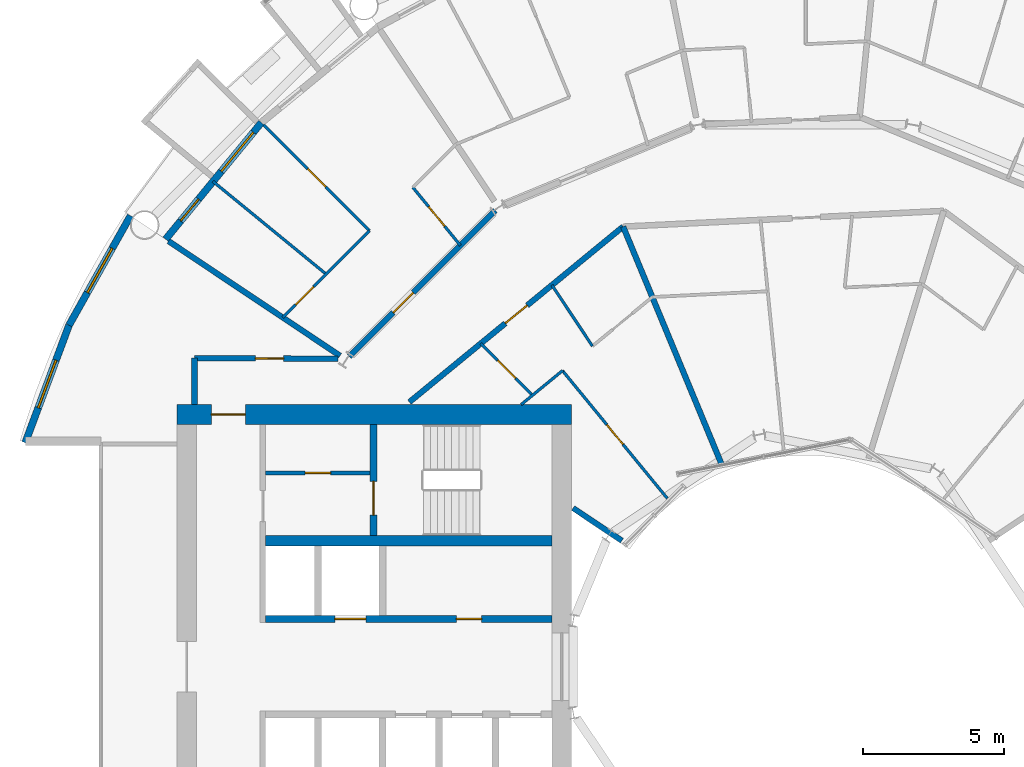
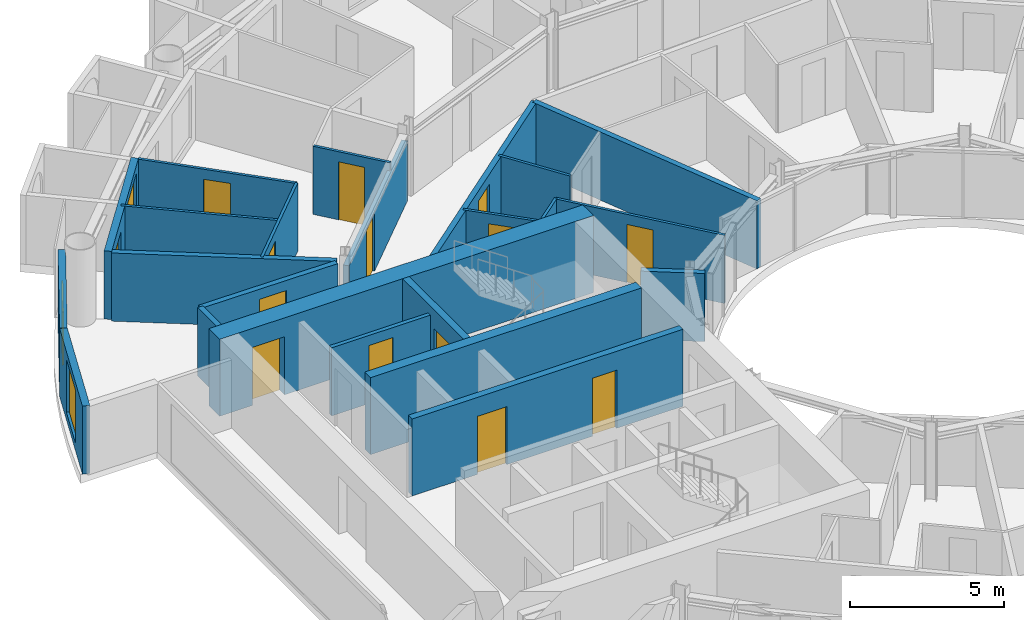
# One storey, part 18 of 26: 23 walls, 14 doors, 3 windows, 17 openings.
"""IFC4 building model written with IfcOpenShell, lengths in metres."""

import ifcopenshell
import ifcopenshell.guid

model = None  # the IFC model being written
_history = None  # IfcOwnerHistory: only IFC2X3 demands one
_inside = {}  # id of a spatial element -> (the spatial element, [elements in it])
_under = {}  # id of a project, library or spatial element -> (it, [spatial elements below it])
_declared = {}  # id of a project -> (the project, [libraries it declares])
_typed = {}  # id of a type object -> (the type object, [elements of that type])
_made_of = {}  # id of a material, layer set ... -> (it, [elements and type objects made of it])


def new_model(schema):
    """Start an empty IFC model of exactly this schema.

    Asked for "IFC4X3", IfcOpenShell would pick the latest addendum, in which some entities
    have other attributes; the version numbers below select the first issue.
    IFC2X3 requires an IfcOwnerHistory on every rooted entity: one is made here for all.
    """
    global model, _history
    if schema == "IFC4X3":
        model = ifcopenshell.file(schema_version=(4, 3, 0, 0))
    else:
        model = ifcopenshell.file(schema=schema)
    _inside.clear()
    _under.clear()
    _declared.clear()
    _typed.clear()
    _made_of.clear()
    _history = None
    if model.schema == "IFC2X3":
        org = make("IfcOrganization", Name="unknown")
        user = make(
            "IfcPersonAndOrganization",
            ThePerson=make("IfcPerson", FamilyName="unknown"),
            TheOrganization=org,
        )
        app = make(
            "IfcApplication",
            ApplicationDeveloper=org,
            Version="unknown",
            ApplicationFullName="unknown",
            ApplicationIdentifier="unknown",
        )
        _history = make(
            "IfcOwnerHistory",
            OwningUser=user,
            OwningApplication=app,
            ChangeAction="ADDED",
            CreationDate=0,
        )
    return model


def make(cls, **values):
    """One entity of the class cls with the attributes given. An attribute that is None is left unset."""
    return model.create_entity(
        cls, **{name: value for name, value in values.items() if value is not None}
    )


def rooted(cls, **values):
    """An entity with a GlobalId (a new one), such as an element, a storey or a relation."""
    return make(cls, GlobalId=ifcopenshell.guid.new(), OwnerHistory=_history, **values)


def si_unit(unit_type, name, prefix=None):
    """IfcSIUnit, for example si_unit("LENGTHUNIT", "METRE", prefix="MILLI")."""
    return make("IfcSIUnit", UnitType=unit_type, Prefix=prefix, Name=name)


def assignment(units):
    """IfcUnitAssignment: the units of a project."""
    return None if units is None else make("IfcUnitAssignment", Units=units)


def point(xyz):
    """IfcCartesianPoint."""
    return None if xyz is None else make("IfcCartesianPoint", Coordinates=xyz)


def direction(xyz):
    """IfcDirection."""
    return None if xyz is None else make("IfcDirection", DirectionRatios=xyz)


def frame(location, z_axis=None, x_axis=None):
    """IfcAxis2Placement3D, a coordinate frame: its origin and axes. An axis left out is left unset."""
    return make(
        "IfcAxis2Placement3D",
        Location=point(location),
        Axis=direction(z_axis),
        RefDirection=direction(x_axis),
    )


def frame_2d(location, x_axis=None):
    """IfcAxis2Placement2D, a coordinate frame in the plane: its origin and x axis."""
    return make(
        "IfcAxis2Placement2D", Location=point(location), RefDirection=direction(x_axis)
    )


def origin():
    """The frame at (0, 0, 0) with its axes left unset."""
    return frame((0.0, 0.0, 0.0))


def place(relative_to, where):
    """IfcLocalPlacement: puts the frame where relative to a parent placement (None: the world)."""
    return make(
        "IfcLocalPlacement", PlacementRelTo=relative_to, RelativePlacement=where
    )


def context(
    kind, dimensions, precision=None, world=None, true_north=None, identifier=None
):
    """IfcGeometricRepresentationContext, for example the 3D "Model" context."""
    return make(
        "IfcGeometricRepresentationContext",
        ContextIdentifier=identifier,
        ContextType=kind,
        CoordinateSpaceDimension=dimensions,
        Precision=precision,
        WorldCoordinateSystem=world,
        TrueNorth=true_north,
    )


def subcontext(parent, identifier, kind, view, scale=None):
    """IfcGeometricRepresentationSubContext, for example "Body" below "Model"."""
    return make(
        "IfcGeometricRepresentationSubContext",
        ContextIdentifier=identifier,
        ContextType=kind,
        ParentContext=parent,
        TargetScale=scale,
        TargetView=view,
    )


def project(units=None, contexts=None):
    """IfcProject with its units and contexts."""
    return rooted(
        "IfcProject",
        Name="project",
        RepresentationContexts=contexts,
        UnitsInContext=assignment(units),
    )


def spatial(cls, under=None, at=None, **own):
    """A site, building, storey or space (cls), placed at a placement, below another one or the project."""
    s = rooted(cls, ObjectPlacement=at, **own)
    if under is not None:
        _under.setdefault(under.id(), (under, []))[1].append(s)
    return s


def profile(cls, at=None, kind="AREA", **sizes):
    """A parametric profile (cls). Its sizes go by their IFC names, for example OverallWidth=200.0."""
    return make(cls, ProfileType=kind, Position=at, **sizes)


def rectangle(**sizes):
    """IfcRectangleProfileDef."""
    return profile("IfcRectangleProfileDef", **sizes)


def extrude(swept, where, along, depth):
    """IfcExtrudedAreaSolid: the profile swept, set in the frame where, extruded along a direction by depth."""
    return make(
        "IfcExtrudedAreaSolid",
        SweptArea=swept,
        Position=where,
        ExtrudedDirection=direction(along),
        Depth=depth,
    )


def shape(context_of_items, identifier, shape_type, items):
    """IfcShapeRepresentation: the items that make up one representation, for example the "Body"."""
    return make(
        "IfcShapeRepresentation",
        ContextOfItems=context_of_items,
        RepresentationIdentifier=identifier,
        RepresentationType=shape_type,
        Items=items,
    )


def material(Name=None, Category=None):
    """IfcMaterial."""
    return make("IfcMaterial", Name=Name, Category=Category)


def layer(
    of_material, thickness, ventilated=None, Name=None, Category=None, Priority=None
):
    """IfcMaterialLayer: one layer of a wall or slab, of a material (None: an air gap)."""
    return make(
        "IfcMaterialLayer",
        Material=of_material,
        LayerThickness=thickness,
        IsVentilated=ventilated,
        Name=Name,
        Category=Category,
        Priority=Priority,
    )


def layer_set(layers, Name=None):
    """IfcMaterialLayerSet."""
    return make("IfcMaterialLayerSet", MaterialLayers=layers, LayerSetName=Name)


def made_of(thing, what):
    """Note that an element or type object is made of a material, layer set ...; save() writes the relation."""
    if what is not None:
        _made_of.setdefault(what.id(), (what, []))[1].append(thing)
    return thing


def type_object(cls, material=None, **own):
    """A type object (cls), such as IfcWallType, which elements share."""
    return made_of(rooted(cls, **own), material)


def element(
    cls,
    number,
    at=None,
    inside=None,
    cuts=None,
    type_object=None,
    material=None,
    context=None,
    identifier="Body",
    shape_type=None,
    held_by="IfcProductDefinitionShape",
    body=None,
    shapes=None,
    **own,
):
    """One element of the class cls, such as IfcWall. Its Tag is "e" and its number.

    at: its placement. inside: the storey or other place that contains it. cuts: it is an
    opening in that element (IfcRelVoidsElement). A single representation is given by context,
    identifier, shape_type and body (its items); several are given by shapes. held_by: the class
    of the entity that holds the representations. save() writes the other relations.
    """
    e = rooted(cls, Tag="e%d" % number, ObjectPlacement=at, **own)
    if body is not None:
        shapes = [shape(context, identifier, shape_type, body)]
    if shapes is not None:
        e.Representation = make(held_by, Representations=shapes)
    if inside is not None:
        _inside.setdefault(inside.id(), (inside, []))[1].append(e)
    if cuts is not None:
        rooted(
            "IfcRelVoidsElement", RelatingBuildingElement=cuts, RelatedOpeningElement=e
        )
    if type_object is not None:
        _typed.setdefault(type_object.id(), (type_object, []))[1].append(e)
    return made_of(e, material)


def fill(opening, filler):
    """IfcRelFillsElement: the door or window that sits in an opening."""
    return rooted(
        "IfcRelFillsElement",
        RelatingOpeningElement=opening,
        RelatedBuildingElement=filler,
    )


def aggregate(whole, parts):
    """IfcRelAggregates: a whole, such as a stair, and the parts it consists of."""
    return rooted("IfcRelAggregates", RelatingObject=whole, RelatedObjects=parts)


def save(model, path):
    """Write the relations noted so far, then the file.

    IfcRelAggregates (storeys below a building ...), IfcRelContainedInSpatialStructure (elements
    in a storey), IfcRelDefinesByType, IfcRelAssociatesMaterial and IfcRelDeclares: one each for
    every whole, place, type object, material and project.
    """
    for whole, parts in _under.values():
        aggregate(whole, parts)
    for where, things in _inside.values():
        rooted(
            "IfcRelContainedInSpatialStructure",
            RelatedElements=things,
            RelatingStructure=where,
        )
    for kind, things in _typed.values():
        rooted("IfcRelDefinesByType", RelatedObjects=things, RelatingType=kind)
    for what, things in _made_of.values():
        rooted("IfcRelAssociatesMaterial", RelatedObjects=things, RelatingMaterial=what)
    for by, libraries in _declared.values():
        rooted("IfcRelDeclares", RelatingContext=by, RelatedDefinitions=libraries)
    model.write(path)


model = new_model("IFC4")

# Units and contexts
model_context = context("Model", 3, precision=1e-05, world=origin(), true_north=direction((0.0, 1.0)))
body_context = subcontext(model_context, "Body", "Model", "MODEL_VIEW")
ifc_project = project(units=[si_unit("LENGTHUNIT", "METRE"), si_unit("AREAUNIT", "SQUARE_METRE"), si_unit("VOLUMEUNIT", "CUBIC_METRE"), si_unit("PLANEANGLEUNIT", "RADIAN"), si_unit("MASSUNIT", "GRAM", prefix="KILO")], contexts=[model_context])

# Site, building, storey
site_placement = place(None, origin())
site = spatial("IfcSite", under=ifc_project, at=site_placement, CompositionType="ELEMENT")
building_placement = place(site_placement, origin())
building = spatial("IfcBuilding", under=site, at=building_placement, Name="Maasbend Ring Residences", CompositionType="ELEMENT")
storey_placement = place(building_placement, frame((0.0, 0.0, 72.75)))
storey = spatial("IfcBuildingStorey", under=building, at=storey_placement, Name="L20", CompositionType="ELEMENT", Elevation=72.75)

# Wall, openings, doors
ifc_material_1 = material(Name="Concrete C70/85", Category="concrete")
ifc_layer_1 = layer(ifc_material_1, 0.25)
ifc_layer_set_1 = layer_set([ifc_layer_1], Name="Concrete C70/85")
wall_type_1 = type_object("IfcWallType", Name="CORE WALL 250 C70/85", PredefinedType="SHEAR", material=ifc_layer_set_1)
wall_1_placement = place(storey_placement, frame((-19.14990234375, 1.699951171875, 0.0), z_axis=(0.0, 0.0, 1.0), x_axis=(1.0, 0.0, 0.0)))
wall_1 = element("IfcWall", 1, at=wall_1_placement, inside=storey, type_object=wall_type_1, Name="L20 core W wall SPS", PredefinedType="SHEAR", context=body_context, shape_type="SweptSolid", body=[
    extrude(rectangle(XDim=10.14990234375, YDim=0.25, at=frame_2d((5.074951171875, 0.0))), origin(), (0.0, 0.0, 1.0), 3.050048828125),
])
opening_1_placement = place(wall_1_placement, frame((2.449951171875, 0.0, 0.0)))
opening_1 = element("IfcOpeningElement", 2, at=opening_1_placement, cuts=wall_1, Name="Opening LD-W2005", PredefinedType="OPENING", context=body_context, shape_type="SweptSolid", body=[
    extrude(rectangle(XDim=1.10009765625, YDim=2.300048828125, at=frame_2d((0.550048828125, 1.14990234375))), frame((0.0, 0.135009765625, 0.0), z_axis=(0.0, -1.0, 0.0), x_axis=(1.0, 0.0, 0.0)), (0.0, 0.0, 1.0), 0.27001953125),
])
opening_2_placement = place(wall_1_placement, frame((6.762451171875, 0.0, 0.0)))
opening_2 = element("IfcOpeningElement", 3, at=opening_2_placement, cuts=wall_1, Name="Opening D-W2006", PredefinedType="OPENING", context=body_context, shape_type="SweptSolid", body=[
    extrude(rectangle(XDim=0.89990234375, YDim=2.300048828125, at=frame_2d((0.449951171875, 1.14990234375))), frame((0.0, 0.135009765625, 0.0), z_axis=(0.0, -1.0, 0.0), x_axis=(1.0, 0.0, 0.0)), (0.0, 0.0, 1.0), 0.27001953125),
])
ifc_material_2 = material(Name="Stainless steel 316", Category="steel")
door_type_1 = type_object("IfcDoorType", Name="LANDING DOOR 1100 X 2300 FD60", OperationType="DOUBLE_DOOR_SLIDING", PredefinedType="DOOR", material=ifc_material_2)
door_1_placement = place(opening_1_placement, origin())
door_1 = element("IfcDoor", 4, at=door_1_placement, inside=storey, type_object=door_type_1, Name="Landing door SV-W L20", OperationType="DOUBLE_DOOR_SLIDING", OverallHeight=2.300048828125, OverallWidth=1.10009765625, PredefinedType="DOOR", context=body_context, shape_type="SweptSolid", body=[
    extrude(rectangle(XDim=1.10009765625, YDim=2.300048828125, at=frame_2d((0.550048828125, 1.14990234375))), frame((0.0, 0.02490234375, 0.0), z_axis=(0.0, -1.0, 0.0), x_axis=(1.0, 0.0, 0.0)), (0.0, 0.0, 1.0), 0.050048828125),
])
fill(opening_1, door_1)
ifc_material_3 = material(Name="Steel, powder coated", Category="steel")
door_type_2 = type_object("IfcDoorType", Name="ROOM DOOR 900 X 2300 FD30S", OperationType="NOTDEFINED", PredefinedType="DOOR", material=ifc_material_3)
door_2_placement = place(opening_2_placement, origin())
door_2 = element("IfcDoor", 5, at=door_2_placement, inside=storey, type_object=door_type_2, Name="Room door L20", OperationType="SINGLE_SWING_LEFT", OverallHeight=2.300048828125, OverallWidth=0.89990234375, PredefinedType="DOOR", context=body_context, shape_type="SweptSolid", body=[
    extrude(rectangle(XDim=0.89990234375, YDim=2.300048828125, at=frame_2d((0.449951171875, 1.14990234375))), frame((0.0, 0.02490234375, 0.0), z_axis=(0.0, -1.0, 0.0), x_axis=(1.0, 0.0, 0.0)), (0.0, 0.0, 1.0), 0.050048828125),
])
fill(opening_2, door_2)

# Wall, opening, door
wall_2_placement = place(storey_placement, frame((-15.324951171875, 8.60009765625, 0.0), z_axis=(0.0, 0.0, 1.0), x_axis=(0.0, -1.0, 0.0)))
wall_2 = element("IfcWall", 6, at=wall_2_placement, inside=storey, type_object=wall_type_1, Name="L20 core W wall STES", PredefinedType="SHEAR", context=body_context, shape_type="SweptSolid", body=[
    extrude(rectangle(XDim=3.9501953125, YDim=0.25, at=frame_2d((1.97509765625, 0.0))), origin(), (0.0, 0.0, 1.0), 3.050048828125),
])
opening_3_placement = place(wall_2_placement, frame((2.02490234375, 0.0, 0.0)))
opening_3 = element("IfcOpeningElement", 7, at=opening_3_placement, cuts=wall_2, Name="Opening D-W2009", PredefinedType="OPENING", context=body_context, shape_type="SweptSolid", body=[
    extrude(rectangle(XDim=1.199951171875, YDim=2.300048828125, at=frame_2d((0.60009765625, 1.14990234375))), frame((0.0, 0.135009765625, 0.0), z_axis=(0.0, -1.0, 0.0), x_axis=(1.0, 0.0, 0.0)), (0.0, 0.0, 1.0), 0.27001953125),
])
ifc_material_4 = material(Name="Steel, powder coated", Category="steel")
door_type_3 = type_object("IfcDoorType", Name="STAIR DOOR 1200 X 2300 FD60", OperationType="NOTDEFINED", PredefinedType="DOOR", material=ifc_material_4)
door_3_placement = place(opening_3_placement, origin())
door_3 = element("IfcDoor", 8, at=door_3_placement, inside=storey, type_object=door_type_3, Name="Stair door ST-W L20", OperationType="SINGLE_SWING_LEFT", OverallHeight=2.300048828125, OverallWidth=1.199951171875, PredefinedType="DOOR", context=body_context, shape_type="SweptSolid", body=[
    extrude(rectangle(XDim=1.199951171875, YDim=2.300048828125, at=frame_2d((0.60009765625, 1.14990234375))), frame((0.0, 0.02490234375, 0.0), z_axis=(0.0, -1.0, 0.0), x_axis=(1.0, 0.0, 0.0)), (0.0, 0.0, 1.0), 0.050048828125),
])
fill(opening_3, door_3)

# Wall
ifc_material_5 = material(Name="Concrete C70/85", Category="concrete")
ifc_layer_2 = layer(ifc_material_5, 0.375)
ifc_layer_set_2 = layer_set([ifc_layer_2], Name="Concrete C70/85")
wall_type_2 = type_object("IfcWallType", Name="CORE WALL 375 C70/85", PredefinedType="SHEAR", material=ifc_layer_set_2)
wall_3_placement = place(storey_placement, frame((-9.0, 4.46240234375, 0.0), z_axis=(0.0, 0.0, 1.0), x_axis=(-1.0, 0.0, 0.0)))
element("IfcWall", 9, at=wall_3_placement, inside=storey, type_object=wall_type_2, Name="L20 core W wall BS", PredefinedType="SHEAR", context=body_context, shape_type="SweptSolid", body=[
    extrude(rectangle(XDim=10.14990234375, YDim=0.375, at=frame_2d((5.074951171875, 0.0))), origin(), (0.0, 0.0, 1.0), 3.050048828125),
])

# Wall, opening, door
ifc_material_6 = material(Name="Concrete C70/85", Category="concrete")
ifc_layer_3 = layer(ifc_material_6, 0.699951171875)
ifc_layer_set_3 = layer_set([ifc_layer_3], Name="Concrete C70/85")
wall_type_3 = type_object("IfcWallType", Name="CORE WALL 700 C70/85", PredefinedType="SHEAR", material=ifc_layer_set_3)
wall_4_placement = place(storey_placement, frame((-8.300048828125, 8.949951171875, 0.0), z_axis=(0.0, 0.0, 1.0), x_axis=(-1.0, 0.0, 0.0)))
wall_4 = element("IfcWall", 10, at=wall_4_placement, inside=storey, type_object=wall_type_3, Name="L20 core W wall PS", PredefinedType="SHEAR", context=body_context, shape_type="SweptSolid", body=[
    extrude(rectangle(XDim=14.0, YDim=0.699951171875, at=frame_2d((7.0, 0.0))), origin(), (0.0, 0.0, 1.0), 3.050048828125),
])
opening_4_placement = place(wall_4_placement, frame((11.574951171875, 0.0, 0.0)))
opening_4 = element("IfcOpeningElement", 11, at=opening_4_placement, cuts=wall_4, Name="Opening D-W2013", PredefinedType="OPENING", context=body_context, shape_type="SweptSolid", body=[
    extrude(rectangle(XDim=1.199951171875, YDim=2.300048828125, at=frame_2d((0.60009765625, 1.14990234375))), frame((0.0, 0.35986328125, 0.0), z_axis=(0.0, -1.0, 0.0), x_axis=(1.0, 0.0, 0.0)), (0.0, 0.0, 1.0), 0.719970703125),
])
ifc_material_7 = material(Name="Steel, powder coated", Category="steel")
door_type_4 = type_object("IfcDoorType", Name="CORRIDOR DOOR 1200 X 2300 FD30S", OperationType="NOTDEFINED", PredefinedType="DOOR", material=ifc_material_7)
door_4_placement = place(opening_4_placement, origin())
door_4 = element("IfcDoor", 12, at=door_4_placement, inside=storey, type_object=door_type_4, Name="Corridor door L20", OperationType="SINGLE_SWING_LEFT", OverallHeight=2.300048828125, OverallWidth=1.199951171875, PredefinedType="DOOR", context=body_context, shape_type="SweptSolid", body=[
    extrude(rectangle(XDim=1.199951171875, YDim=2.300048828125, at=frame_2d((0.60009765625, 1.14990234375))), frame((0.0, 0.02490234375, 0.0), z_axis=(0.0, -1.0, 0.0), x_axis=(1.0, 0.0, 0.0)), (0.0, 0.0, 1.0), 0.050048828125),
])
fill(opening_4, door_4)

ifc_material_8 = material(Name="Concrete C30/37", Category="concrete")
ifc_layer_4 = layer(ifc_material_8, 0.199951171875)
ifc_layer_set_4 = layer_set([ifc_layer_4], Name="Concrete C30/37")
wall_type_4 = type_object("IfcWallType", Name="CORRIDOR WALL 200 CONCRETE", PredefinedType="PARTITIONING", material=ifc_layer_set_4)
wall_5_placement = place(storey_placement, frame((-21.675048828125, 10.949951171875, 0.0), z_axis=(0.0, 0.0, 1.0), x_axis=(0.999988019025, -0.004895079807, 0.0)))
wall_5 = element("IfcWall", 13, at=wall_5_placement, inside=storey, type_object=wall_type_4, Name="U-L20-w087", PredefinedType="PARTITIONING", context=body_context, shape_type="SweptSolid", body=[
    extrude(rectangle(XDim=5.087158203125, YDim=0.199951171875, at=frame_2d((2.54345703125, 0.0))), origin(), (0.0, 0.0, 1.0), 2.699951171875),
])
opening_5_placement = place(wall_5_placement, frame((2.1630859375, 0.0, 0.0)))
opening_5 = element("IfcOpeningElement", 14, at=opening_5_placement, cuts=wall_5, Name="Opening D-2066", PredefinedType="OPENING", context=body_context, shape_type="SweptSolid", body=[
    extrude(rectangle(XDim=1.0, YDim=2.300048828125, at=frame_2d((0.5, 1.14990234375))), frame((0.0, 0.10986328125, 0.0), z_axis=(0.0, -1.0, 0.0), x_axis=(1.0, 0.0, 0.0)), (0.0, 0.0, 1.0), 0.219970703125),
])
ifc_material_9 = material(Name="Timber, painted", Category="wood")
door_type_5 = type_object("IfcDoorType", Name="ROOM DOOR 1000 X 2300", OperationType="NOTDEFINED", PredefinedType="DOOR", material=ifc_material_9)
door_5_placement = place(opening_5_placement, origin())
door_5 = element("IfcDoor", 15, at=door_5_placement, inside=storey, type_object=door_type_5, Name="D-2066", OperationType="SINGLE_SWING_RIGHT", OverallHeight=2.300048828125, OverallWidth=1.0, PredefinedType="DOOR", context=body_context, shape_type="SweptSolid", body=[
    extrude(rectangle(XDim=1.0, YDim=2.300048828125, at=frame_2d((0.5, 1.14990234375))), frame((0.0, 0.02490234375, 0.0), z_axis=(0.0, -1.0, 0.0), x_axis=(1.0, 0.0, 0.0)), (0.0, 0.0, 1.0), 0.050048828125),
])
fill(opening_5, door_5)

wall_6_placement = place(storey_placement, frame((-14.052001953125, 9.388916015625, 0.0), z_axis=(0.0, 0.0, 1.0), x_axis=(0.77292501819, 0.634497372931, 0.0)))
wall_6 = element("IfcWall", 16, at=wall_6_placement, inside=storey, type_object=wall_type_4, Name="U-L20-w097", PredefinedType="PARTITIONING", context=body_context, shape_type="SweptSolid", body=[
    extrude(rectangle(XDim=9.8095703125, YDim=0.199951171875, at=frame_2d((4.90478515625, 0.0))), origin(), (0.0, 0.0, 1.0), 2.699951171875),
])
opening_6_placement = place(wall_6_placement, frame((4.406005859375, 0.0, 0.0)))
opening_6 = element("IfcOpeningElement", 17, at=opening_6_placement, cuts=wall_6, Name="Opening D-2029", PredefinedType="OPENING", context=body_context, shape_type="SweptSolid", body=[
    extrude(rectangle(XDim=1.0, YDim=2.300048828125, at=frame_2d((0.5, 1.14990234375))), frame((0.0, 0.10986328125, 0.0), z_axis=(0.0, -1.0, 0.0), x_axis=(1.0, 0.0, 0.0)), (0.0, 0.0, 1.0), 0.219970703125),
])
ifc_material_10 = material(Name="Timber, fire-rated, painted", Category="wood")
door_type_6 = type_object("IfcDoorType", Name="FLAT ENTRANCE DOOR 1000 X 2300 FIRE-RATED", OperationType="NOTDEFINED", PredefinedType="DOOR", material=ifc_material_10)
door_6_placement = place(opening_6_placement, origin())
door_6 = element("IfcDoor", 18, at=door_6_placement, inside=storey, type_object=door_type_6, Name="D-2029", OperationType="SINGLE_SWING_RIGHT", OverallHeight=2.300048828125, OverallWidth=1.0, PredefinedType="DOOR", context=body_context, shape_type="SweptSolid", body=[
    extrude(rectangle(XDim=1.0, YDim=2.300048828125, at=frame_2d((0.5, 1.14990234375))), frame((0.0, 0.02490234375, 0.0), z_axis=(0.0, -1.0, 0.0), x_axis=(1.0, 0.0, 0.0)), (0.0, 0.0, 1.0), 0.050048828125),
])
fill(opening_6, door_6)

wall_7_placement = place(storey_placement, frame((-16.18603515625, 11.0, 0.0), z_axis=(0.0, 0.0, 1.0), x_axis=(0.707106781187, 0.707106781187, 0.0)))
wall_7 = element("IfcWall", 19, at=wall_7_placement, inside=storey, type_object=wall_type_4, Name="U-L20-w099", PredefinedType="PARTITIONING", context=body_context, shape_type="SweptSolid", body=[
    extrude(rectangle(XDim=7.334228515625, YDim=0.199951171875, at=frame_2d((3.6669921875, 0.0))), origin(), (0.0, 0.0, 1.0), 2.3798828125),
])
opening_7_placement = place(wall_7_placement, frame((2.2109375, 0.0, 0.0)))
opening_7 = element("IfcOpeningElement", 20, at=opening_7_placement, cuts=wall_7, Name="Opening D-2017", PredefinedType="OPENING", context=body_context, shape_type="SweptSolid", body=[
    extrude(rectangle(XDim=1.0, YDim=2.300048828125, at=frame_2d((0.5, 1.14990234375))), frame((0.0, 0.10986328125, 0.0), z_axis=(0.0, -1.0, 0.0), x_axis=(1.0, 0.0, 0.0)), (0.0, 0.0, 1.0), 0.219970703125),
])
door_7_placement = place(opening_7_placement, origin())
door_7 = element("IfcDoor", 21, at=door_7_placement, inside=storey, type_object=door_type_6, Name="D-2017", OperationType="SINGLE_SWING_LEFT", OverallHeight=2.300048828125, OverallWidth=1.0, PredefinedType="DOOR", context=body_context, shape_type="SweptSolid", body=[
    extrude(rectangle(XDim=1.0, YDim=2.300048828125, at=frame_2d((0.5, 1.14990234375))), frame((0.0, 0.02490234375, 0.0), z_axis=(0.0, -1.0, 0.0), x_axis=(1.0, 0.0, 0.0)), (0.0, 0.0, 1.0), 0.050048828125),
])
fill(opening_7, door_7)

# Wall
wall_8_placement = place(storey_placement, frame((-21.675048828125, 9.300048828125, 0.0), z_axis=(0.0, 0.0, 1.0), x_axis=(0.0, 1.0, 0.0)))
element("IfcWall", 22, at=wall_8_placement, inside=storey, type_object=wall_type_4, Name="U-L20-w106", PredefinedType="PARTITIONING", context=body_context, shape_type="SweptSolid", body=[
    extrude(rectangle(XDim=1.64990234375, YDim=0.199951171875, at=frame_2d((0.824951171875, 0.0))), origin(), (0.0, 0.0, 1.0), 2.699951171875),
])

# Wall, openings, door, window
ifc_material_11 = material(Name="Aluminium clad insulated panel", Category="aluminium")
ifc_layer_5 = layer(ifc_material_11, 0.25)
ifc_layer_set_5 = layer_set([ifc_layer_5], Name="EW-GL")
wall_type_5 = type_object("IfcWallType", Name="EW-GL", PredefinedType="SOLIDWALL", material=ifc_layer_set_5)
wall_9_placement = place(storey_placement, frame((-19.303955078125, 19.303955078125, 0.0), z_axis=(0.0, 0.0, 1.0), x_axis=(-0.634382322723, -0.773019449054, 0.0)))
wall_9 = element("IfcWall", 23, at=wall_9_placement, inside=storey, type_object=wall_type_5, Name="External wall N10", PredefinedType="SOLIDWALL", context=body_context, shape_type="SweptSolid", body=[
    extrude(rectangle(XDim=5.351806640625, YDim=0.25, at=frame_2d((2.67578125, 0.0))), origin(), (0.0, 0.0, 1.0), 2.699951171875),
])
opening_8_placement = place(wall_9_placement, frame((0.441162109375, 0.0, 0.300048828125)))
opening_8 = element("IfcOpeningElement", 24, at=opening_8_placement, cuts=wall_9, Name="Opening W-BX", PredefinedType="OPENING", context=body_context, shape_type="SweptSolid", body=[
    extrude(rectangle(XDim=1.800048828125, YDim=2.10009765625, at=frame_2d((0.89990234375, 1.050048828125))), frame((0.0, 0.135009765625, 0.0), z_axis=(0.0, -1.0, 0.0), x_axis=(1.0, 0.0, 0.0)), (0.0, 0.0, 1.0), 0.27001953125),
])
opening_9_placement = place(wall_9_placement, frame((3.510498046875, 0.0, 0.0)))
opening_9 = element("IfcOpeningElement", 25, at=opening_9_placement, cuts=wall_9, Name="Opening D-LG", PredefinedType="OPENING", context=body_context, shape_type="SweptSolid", body=[
    extrude(rectangle(XDim=1.0, YDim=2.199951171875, at=frame_2d((0.5, 1.10009765625))), frame((0.0, 0.135009765625, 0.0), z_axis=(0.0, -1.0, 0.0), x_axis=(1.0, 0.0, 0.0)), (0.0, 0.0, 1.0), 0.27001953125),
])
ifc_material_12 = material(Name="Aluminium and clear glass", Category="aluminium")
door_type_7 = type_object("IfcDoorType", Name="D-LG", OperationType="SINGLE_SWING_LEFT", PredefinedType="DOOR", material=ifc_material_12)
door_8_placement = place(opening_9_placement, origin())
door_8 = element("IfcDoor", 26, at=door_8_placement, inside=storey, type_object=door_type_7, Name="Loggia door N20", OperationType="SINGLE_SWING_LEFT", OverallHeight=2.199951171875, OverallWidth=1.0, PredefinedType="DOOR", context=body_context, shape_type="SweptSolid", body=[
    extrude(rectangle(XDim=1.0, YDim=2.199951171875, at=frame_2d((0.5, 1.10009765625))), frame((0.0, 0.02490234375, 0.0), z_axis=(0.0, -1.0, 0.0), x_axis=(1.0, 0.0, 0.0)), (0.0, 0.0, 1.0), 0.050048828125),
])
fill(opening_9, door_8)
ifc_material_13 = material(Name="Aluminium and clear glass", Category="aluminium")
window_type = type_object("IfcWindowType", Name="W-BX", PartitioningType="DOUBLE_PANEL_VERTICAL", PredefinedType="WINDOW", material=ifc_material_13)
window_1_placement = place(opening_8_placement, origin())
window_1 = element("IfcWindow", 27, at=window_1_placement, inside=storey, type_object=window_type, Name="Window N19 room to box", OverallHeight=2.10009765625, OverallWidth=1.800048828125, PartitioningType="SINGLE_PANEL", PredefinedType="WINDOW", context=body_context, shape_type="SweptSolid", body=[
    extrude(rectangle(XDim=1.800048828125, YDim=2.10009765625, at=frame_2d((0.89990234375, 1.050048828125))), frame((0.0, 0.030029296875, 0.0), z_axis=(0.0, -1.0, 0.0), x_axis=(1.0, 0.0, 0.0)), (0.0, 0.0, 1.0), 0.06005859375),
])
fill(opening_8, window_1)

# Wall, opening, window
ifc_material_14 = material(Name="Aluminium clad insulated panel", Category="aluminium")
ifc_layer_6 = layer(ifc_material_14, 0.25)
ifc_layer_set_6 = layer_set([ifc_layer_6], Name="EW-HORN")
wall_type_6 = type_object("IfcWallType", Name="EW-HORN", PredefinedType="SOLIDWALL", material=ifc_layer_set_6)
wall_10_placement = place(storey_placement, frame((-23.946044921875, 16.0, 0.0), z_axis=(0.0, 0.0, 1.0), x_axis=(-0.489696356642, -0.871893042919, 0.0)))
wall_10 = element("IfcWall", 28, at=wall_10_placement, inside=storey, type_object=wall_type_6, Name="Horn wall 4.1", PredefinedType="SOLIDWALL", context=body_context, shape_type="SweptSolid", body=[
    extrude(rectangle(XDim=4.45361328125, YDim=0.25, at=frame_2d((2.226806640625, 0.0))), origin(), (0.0, 0.0, 1.0), 2.699951171875),
])
opening_10_placement = place(wall_10_placement, frame((1.32666015625, 0.0, 0.300048828125)))
opening_10 = element("IfcOpeningElement", 29, at=opening_10_placement, cuts=wall_10, Name="Opening W-BX", PredefinedType="OPENING", context=body_context, shape_type="SweptSolid", body=[
    extrude(rectangle(XDim=1.800048828125, YDim=2.10009765625, at=frame_2d((0.89990234375, 1.050048828125))), frame((0.0, 0.135009765625, 0.0), z_axis=(0.0, -1.0, 0.0), x_axis=(1.0, 0.0, 0.0)), (0.0, 0.0, 1.0), 0.27001953125),
])
window_2_placement = place(opening_10_placement, origin())
window_2 = element("IfcWindow", 30, at=window_2_placement, inside=storey, type_object=window_type, Name="Horn window 4.1", OverallHeight=2.10009765625, OverallWidth=1.800048828125, PartitioningType="SINGLE_PANEL", PredefinedType="WINDOW", context=body_context, shape_type="SweptSolid", body=[
    extrude(rectangle(XDim=1.800048828125, YDim=2.10009765625, at=frame_2d((0.89990234375, 1.050048828125))), frame((0.0, 0.030029296875, 0.0), z_axis=(0.0, -1.0, 0.0), x_axis=(1.0, 0.0, 0.0)), (0.0, 0.0, 1.0), 0.06005859375),
])
fill(opening_10, window_2)

wall_11_placement = place(storey_placement, frame((-26.126953125, 12.116943359375, 0.0), z_axis=(0.0, 0.0, 1.0), x_axis=(-0.349247811493, -0.937030397675, 0.0)))
wall_11 = element("IfcWall", 31, at=wall_11_placement, inside=storey, type_object=wall_type_6, Name="Horn wall 4.2", PredefinedType="SOLIDWALL", context=body_context, shape_type="SweptSolid", body=[
    extrude(rectangle(XDim=4.4521484375, YDim=0.25, at=frame_2d((2.22607421875, 0.0))), origin(), (0.0, 0.0, 1.0), 2.699951171875),
])
opening_11_placement = place(wall_11_placement, frame((1.32666015625, 0.0, 0.300048828125)))
opening_11 = element("IfcOpeningElement", 32, at=opening_11_placement, cuts=wall_11, Name="Opening W-BX", PredefinedType="OPENING", context=body_context, shape_type="SweptSolid", body=[
    extrude(rectangle(XDim=1.800048828125, YDim=2.10009765625, at=frame_2d((0.89990234375, 1.050048828125))), frame((0.0, 0.135009765625, 0.0), z_axis=(0.0, -1.0, 0.0), x_axis=(1.0, 0.0, 0.0)), (0.0, 0.0, 1.0), 0.27001953125),
])
window_3_placement = place(opening_11_placement, origin())
window_3 = element("IfcWindow", 33, at=window_3_placement, inside=storey, type_object=window_type, Name="Horn window 4.2", OverallHeight=2.10009765625, OverallWidth=1.800048828125, PartitioningType="SINGLE_PANEL", PredefinedType="WINDOW", context=body_context, shape_type="SweptSolid", body=[
    extrude(rectangle(XDim=1.800048828125, YDim=2.10009765625, at=frame_2d((0.89990234375, 1.050048828125))), frame((0.0, 0.030029296875, 0.0), z_axis=(0.0, -1.0, 0.0), x_axis=(1.0, 0.0, 0.0)), (0.0, 0.0, 1.0), 0.06005859375),
])
fill(opening_11, window_3)

# Wall
ifc_material_15 = material(Name="Gypsum board on steel studs", Category="steel")
ifc_layer_7 = layer(ifc_material_15, 0.10009765625)
ifc_layer_set_7 = layer_set([ifc_layer_7], Name="PARTITION 100 GYPSUM")
wall_type_7 = type_object("IfcWallType", Name="PARTITION 100 GYPSUM", PredefinedType="PARTITIONING", material=ifc_layer_set_7)
wall_12_placement = place(storey_placement, frame((-21.02294921875, 17.219970703125, 0.0), z_axis=(0.0, 0.0, 1.0), x_axis=(0.773517471898, -0.633774976367, 0.0)))
element("IfcWall", 34, at=wall_12_placement, inside=storey, type_object=wall_type_7, Name="U-L20-w032", PredefinedType="PARTITIONING", context=body_context, shape_type="SweptSolid", body=[
    extrude(rectangle(XDim=5.19580078125, YDim=0.10009765625, at=frame_2d((2.597900390625, 0.0))), origin(), (0.0, 0.0, 1.0), 2.699951171875),
])

# Wall, opening, door
wall_13_placement = place(storey_placement, frame((-19.216064453125, 19.216064453125, 0.0), z_axis=(0.0, 0.0, 1.0), x_axis=(0.707106781187, -0.707106781187, 0.0)))
wall_13 = element("IfcWall", 35, at=wall_13_placement, inside=storey, type_object=wall_type_7, Name="U-L20-w033", PredefinedType="PARTITIONING", context=body_context, shape_type="SweptSolid", body=[
    extrude(rectangle(XDim=5.3046875, YDim=0.10009765625, at=frame_2d((2.65234375, 0.0))), origin(), (0.0, 0.0, 1.0), 2.699951171875),
])
opening_12_placement = place(wall_13_placement, frame((2.201904296875, 0.0, 0.0)))
opening_12 = element("IfcOpeningElement", 36, at=opening_12_placement, cuts=wall_13, Name="Opening D-2019", PredefinedType="OPENING", context=body_context, shape_type="SweptSolid", body=[
    extrude(rectangle(XDim=0.89990234375, YDim=2.300048828125, at=frame_2d((0.449951171875, 1.14990234375))), frame((0.0, 0.06005859375, 0.0), z_axis=(0.0, -1.0, 0.0), x_axis=(1.0, 0.0, 0.0)), (0.0, 0.0, 1.0), 0.1201171875),
])
ifc_material_16 = material(Name="Timber, painted", Category="wood")
door_type_8 = type_object("IfcDoorType", Name="INTERNAL DOOR 900 X 2300", OperationType="NOTDEFINED", PredefinedType="DOOR", material=ifc_material_16)
door_9_placement = place(opening_12_placement, origin())
door_9 = element("IfcDoor", 37, at=door_9_placement, inside=storey, type_object=door_type_8, Name="D-2019", OperationType="SINGLE_SWING_LEFT", OverallHeight=2.300048828125, OverallWidth=0.89990234375, PredefinedType="DOOR", context=body_context, shape_type="SweptSolid", body=[
    extrude(rectangle(XDim=0.89990234375, YDim=2.300048828125, at=frame_2d((0.449951171875, 1.14990234375))), frame((0.0, 0.02490234375, 0.0), z_axis=(0.0, -1.0, 0.0), x_axis=(1.0, 0.0, 0.0)), (0.0, 0.0, 1.0), 0.050048828125),
])
fill(opening_12, door_9)

wall_14_placement = place(storey_placement, frame((-13.927001953125, 17.00390625, 0.0), z_axis=(0.0, 0.0, 1.0), x_axis=(0.633582447834, -0.77367517848, 0.0)))
wall_14 = element("IfcWall", 38, at=wall_14_placement, inside=storey, type_object=wall_type_7, Name="U-L20-w038", PredefinedType="PARTITIONING", context=body_context, shape_type="SweptSolid", body=[
    extrude(rectangle(XDim=2.6611328125, YDim=0.10009765625, at=frame_2d((1.33056640625, 0.0))), origin(), (0.0, 0.0, 1.0), 2.699951171875),
])
opening_13_placement = place(wall_14_placement, frame((0.881103515625, 0.0, 0.0)))
opening_13 = element("IfcOpeningElement", 39, at=opening_13_placement, cuts=wall_14, Name="Opening D-2018", PredefinedType="OPENING", context=body_context, shape_type="SweptSolid", body=[
    extrude(rectangle(XDim=0.89990234375, YDim=2.300048828125, at=frame_2d((0.449951171875, 1.14990234375))), frame((0.0, 0.06005859375, 0.0), z_axis=(0.0, -1.0, 0.0), x_axis=(1.0, 0.0, 0.0)), (0.0, 0.0, 1.0), 0.1201171875),
])
door_10_placement = place(opening_13_placement, origin())
door_10 = element("IfcDoor", 40, at=door_10_placement, inside=storey, type_object=door_type_8, Name="D-2018", OperationType="SINGLE_SWING_RIGHT", OverallHeight=2.300048828125, OverallWidth=0.89990234375, PredefinedType="DOOR", context=body_context, shape_type="SweptSolid", body=[
    extrude(rectangle(XDim=0.89990234375, YDim=2.300048828125, at=frame_2d((0.449951171875, 1.14990234375))), frame((0.0, 0.02490234375, 0.0), z_axis=(0.0, -1.0, 0.0), x_axis=(1.0, 0.0, 0.0)), (0.0, 0.0, 1.0), 0.050048828125),
])
fill(opening_13, door_10)

wall_15_placement = place(storey_placement, frame((-11.52392578125, 11.464111328125, 0.0), z_axis=(0.0, 0.0, 1.0), x_axis=(0.708796844581, -0.705412668665, 0.0)))
wall_15 = element("IfcWall", 41, at=wall_15_placement, inside=storey, type_object=wall_type_7, Name="U-L20-w042", PredefinedType="PARTITIONING", context=body_context, shape_type="SweptSolid", body=[
    extrude(rectangle(XDim=2.59716796875, YDim=0.10009765625, at=frame_2d((1.298583984375, 0.0))), origin(), (0.0, 0.0, 1.0), 2.699951171875),
])
opening_14_placement = place(wall_15_placement, frame((0.84912109375, 0.0, 0.0)))
opening_14 = element("IfcOpeningElement", 42, at=opening_14_placement, cuts=wall_15, Name="Opening D-2031", PredefinedType="OPENING", context=body_context, shape_type="SweptSolid", body=[
    extrude(rectangle(XDim=0.89990234375, YDim=2.300048828125, at=frame_2d((0.449951171875, 1.14990234375))), frame((0.0, 0.06005859375, 0.0), z_axis=(0.0, -1.0, 0.0), x_axis=(1.0, 0.0, 0.0)), (0.0, 0.0, 1.0), 0.1201171875),
])
door_11_placement = place(opening_14_placement, origin())
door_11 = element("IfcDoor", 43, at=door_11_placement, inside=storey, type_object=door_type_8, Name="D-2031", OperationType="SINGLE_SWING_RIGHT", OverallHeight=2.300048828125, OverallWidth=0.89990234375, PredefinedType="DOOR", context=body_context, shape_type="SweptSolid", body=[
    extrude(rectangle(XDim=0.89990234375, YDim=2.300048828125, at=frame_2d((0.449951171875, 1.14990234375))), frame((0.0, 0.02490234375, 0.0), z_axis=(0.0, -1.0, 0.0), x_axis=(1.0, 0.0, 0.0)), (0.0, 0.0, 1.0), 0.050048828125),
])
fill(opening_14, door_11)

# Wall
wall_16_placement = place(storey_placement, frame((-8.99609375, 13.5390625, 0.0), z_axis=(0.0, 0.0, 1.0), x_axis=(0.553615197403, -0.83277260594, 0.0)))
element("IfcWall", 44, at=wall_16_placement, inside=storey, type_object=wall_type_7, Name="U-L20-w046", PredefinedType="PARTITIONING", context=body_context, shape_type="SweptSolid", body=[
    extrude(rectangle(XDim=2.597412109375, YDim=0.10009765625, at=frame_2d((1.298828125, 0.0))), origin(), (0.0, 0.0, 1.0), 2.699951171875),
])

# Wall, opening, door
wall_17_placement = place(storey_placement, frame((-8.6201171875, 10.50390625, 0.0), z_axis=(0.0, 0.0, 1.0), x_axis=(0.634358693064, -0.773038840249, 0.0)))
wall_17 = element("IfcWall", 45, at=wall_17_placement, inside=storey, type_object=wall_type_7, Name="U-L20-w048", PredefinedType="PARTITIONING", context=body_context, shape_type="SweptSolid", body=[
    extrude(rectangle(XDim=5.86767578125, YDim=0.10009765625, at=frame_2d((2.933837890625, 0.0))), origin(), (0.0, 0.0, 1.0), 2.699951171875),
])
opening_15_placement = place(wall_17_placement, frame((2.48388671875, 0.0, 0.0)))
opening_15 = element("IfcOpeningElement", 46, at=opening_15_placement, cuts=wall_17, Name="Opening D-2032", PredefinedType="OPENING", context=body_context, shape_type="SweptSolid", body=[
    extrude(rectangle(XDim=0.89990234375, YDim=2.300048828125, at=frame_2d((0.449951171875, 1.14990234375))), frame((0.0, 0.06005859375, 0.0), z_axis=(0.0, -1.0, 0.0), x_axis=(1.0, 0.0, 0.0)), (0.0, 0.0, 1.0), 0.1201171875),
])
door_12_placement = place(opening_15_placement, origin())
door_12 = element("IfcDoor", 47, at=door_12_placement, inside=storey, type_object=door_type_8, Name="D-2032", OperationType="SINGLE_SWING_RIGHT", OverallHeight=2.300048828125, OverallWidth=0.89990234375, PredefinedType="DOOR", context=body_context, shape_type="SweptSolid", body=[
    extrude(rectangle(XDim=0.89990234375, YDim=2.300048828125, at=frame_2d((0.449951171875, 1.14990234375))), frame((0.0, 0.02490234375, 0.0), z_axis=(0.0, -1.0, 0.0), x_axis=(1.0, 0.0, 0.0)), (0.0, 0.0, 1.0), 0.050048828125),
])
fill(opening_15, door_12)

# Wall
wall_18_placement = place(storey_placement, frame((-10.0869140625, 9.300048828125, 0.0), z_axis=(0.0, 0.0, 1.0), x_axis=(0.772957368531, 0.6344579627, 0.0)))
element("IfcWall", 48, at=wall_18_placement, inside=storey, type_object=wall_type_7, Name="U-L20-w093", PredefinedType="PARTITIONING", context=body_context, shape_type="SweptSolid", body=[
    extrude(rectangle(XDim=1.905517578125, YDim=0.10009765625, at=frame_2d((0.95263671875, 0.0))), origin(), (0.0, 0.0, 1.0), 2.699951171875),
])

# Wall, opening, door
wall_19_placement = place(storey_placement, frame((-18.5419921875, 12.388916015625, 0.0), z_axis=(0.0, 0.0, 1.0), x_axis=(0.707190945535, 0.707022606819, 0.0)))
wall_19 = element("IfcWall", 49, at=wall_19_placement, inside=storey, type_object=wall_type_7, Name="U-L20-w107", PredefinedType="PARTITIONING", context=body_context, shape_type="SweptSolid", body=[
    extrude(rectangle(XDim=4.350830078125, YDim=0.10009765625, at=frame_2d((2.17529296875, 0.0))), origin(), (0.0, 0.0, 1.0), 2.699951171875),
])
opening_16_placement = place(wall_19_placement, frame((0.638916015625, 0.0, 0.0)))
opening_16 = element("IfcOpeningElement", 50, at=opening_16_placement, cuts=wall_19, Name="Opening D-2020", PredefinedType="OPENING", context=body_context, shape_type="SweptSolid", body=[
    extrude(rectangle(XDim=0.89990234375, YDim=2.300048828125, at=frame_2d((0.449951171875, 1.14990234375))), frame((0.0, 0.06005859375, 0.0), z_axis=(0.0, -1.0, 0.0), x_axis=(1.0, 0.0, 0.0)), (0.0, 0.0, 1.0), 0.1201171875),
])
door_13_placement = place(opening_16_placement, origin())
door_13 = element("IfcDoor", 51, at=door_13_placement, inside=storey, type_object=door_type_8, Name="D-2020", OperationType="SINGLE_SWING_LEFT", OverallHeight=2.300048828125, OverallWidth=0.89990234375, PredefinedType="DOOR", context=body_context, shape_type="SweptSolid", body=[
    extrude(rectangle(XDim=0.89990234375, YDim=2.300048828125, at=frame_2d((0.449951171875, 1.14990234375))), frame((0.0, 0.02490234375, 0.0), z_axis=(0.0, -1.0, 0.0), x_axis=(1.0, 0.0, 0.0)), (0.0, 0.0, 1.0), 0.050048828125),
])
fill(opening_16, door_13)

ifc_material_17 = material(Name="Gypsum board on steel studs", Category="steel")
ifc_layer_8 = layer(ifc_material_17, 0.14990234375)
ifc_layer_set_8 = layer_set([ifc_layer_8], Name="PARTITION 150 EI 60")
wall_type_8 = type_object("IfcWallType", Name="PARTITION 150 EI 60", PredefinedType="PARTITIONING", material=ifc_layer_set_8)
wall_20_placement = place(storey_placement, frame((-15.449951171875, 6.875, 0.0), z_axis=(0.0, 0.0, 1.0), x_axis=(-1.0, 0.0, 0.0)))
wall_20 = element("IfcWall", 52, at=wall_20_placement, inside=storey, type_object=wall_type_8, Name="L20 core W wall RHS", PredefinedType="PARTITIONING", context=body_context, shape_type="SweptSolid", body=[
    extrude(rectangle(XDim=3.699951171875, YDim=0.14990234375, at=frame_2d((1.85009765625, 0.0))), origin(), (0.0, 0.0, 1.0), 2.699951171875),
])
opening_17_placement = place(wall_20_placement, frame((1.39990234375, 0.0, 0.0)))
opening_17 = element("IfcOpeningElement", 53, at=opening_17_placement, cuts=wall_20, Name="Opening D-W2007", PredefinedType="OPENING", context=body_context, shape_type="SweptSolid", body=[
    extrude(rectangle(XDim=0.89990234375, YDim=2.300048828125, at=frame_2d((0.449951171875, 1.14990234375))), frame((0.0, 0.0849609375, 0.0), z_axis=(0.0, -1.0, 0.0), x_axis=(1.0, 0.0, 0.0)), (0.0, 0.0, 1.0), 0.169921875),
])
ifc_material_18 = material(Name="Steel, powder coated", Category="steel")
door_type_9 = type_object("IfcDoorType", Name="RISER DOOR 900 X 2300 FD60", OperationType="NOTDEFINED", PredefinedType="DOOR", material=ifc_material_18)
door_14_placement = place(opening_17_placement, origin())
door_14 = element("IfcDoor", 54, at=door_14_placement, inside=storey, type_object=door_type_9, Name="Riser door L20", OperationType="SINGLE_SWING_LEFT", OverallHeight=2.300048828125, OverallWidth=0.89990234375, PredefinedType="DOOR", context=body_context, shape_type="SweptSolid", body=[
    extrude(rectangle(XDim=0.89990234375, YDim=2.300048828125, at=frame_2d((0.449951171875, 1.14990234375))), frame((0.0, 0.02490234375, 0.0), z_axis=(0.0, -1.0, 0.0), x_axis=(1.0, 0.0, 0.0)), (0.0, 0.0, 1.0), 0.050048828125),
])
fill(opening_17, door_14)

# Walls
ifc_material_19 = material(Name="Concrete C30/37", Category="concrete")
ifc_layer_9 = layer(ifc_material_19, 0.199951171875)
ifc_layer_set_9 = layer_set([ifc_layer_9], Name="Concrete C30/37")
wall_type_9 = type_object("IfcWallType", Name="PARTY WALL 200 CONCRETE", PredefinedType="PARTITIONING", material=ifc_layer_set_9)
wall_21_placement = place(storey_placement, frame((-22.594970703125, 15.097900390625, 0.0), z_axis=(0.0, 0.0, 1.0), x_axis=(0.831382022135, -0.555701298605, 0.0)))
element("IfcWall", 55, at=wall_21_placement, inside=storey, type_object=wall_type_9, Name="U-L20-w031", PredefinedType="PARTITIONING", context=body_context, shape_type="SweptSolid", body=[
    extrude(rectangle(XDim=7.313232421875, YDim=0.199951171875, at=frame_2d((3.65673828125, 0.0))), origin(), (0.0, 0.0, 1.0), 2.699951171875),
])
wall_22_placement = place(storey_placement, frame((-6.468017578125, 15.614013671875, 0.0), z_axis=(0.0, 0.0, 1.0), x_axis=(0.382646942224, -0.923894646378, 0.0)))
element("IfcWall", 56, at=wall_22_placement, inside=storey, type_object=wall_type_9, Name="U-L20-w050", PredefinedType="PARTITIONING", context=body_context, shape_type="SweptSolid", body=[
    extrude(rectangle(XDim=9.1806640625, YDim=0.199951171875, at=frame_2d((4.59033203125, 0.0))), origin(), (0.0, 0.0, 1.0), 2.699951171875),
])
wall_23_placement = place(storey_placement, frame((-6.512939453125, 4.471923828125, 0.0), z_axis=(0.0, 0.0, 1.0), x_axis=(-0.831382204863, 0.555701025225, 0.0)))
element("IfcWall", 57, at=wall_23_placement, inside=storey, type_object=wall_type_9, Name="U-L20-w085", PredefinedType="PARTITIONING", context=body_context, shape_type="SweptSolid", body=[
    extrude(rectangle(XDim=2.08203125, YDim=0.199951171875, at=frame_2d((1.041015625, 0.0))), origin(), (0.0, 0.0, 1.0), 2.699951171875),
])

save(model, "model.ifc")
